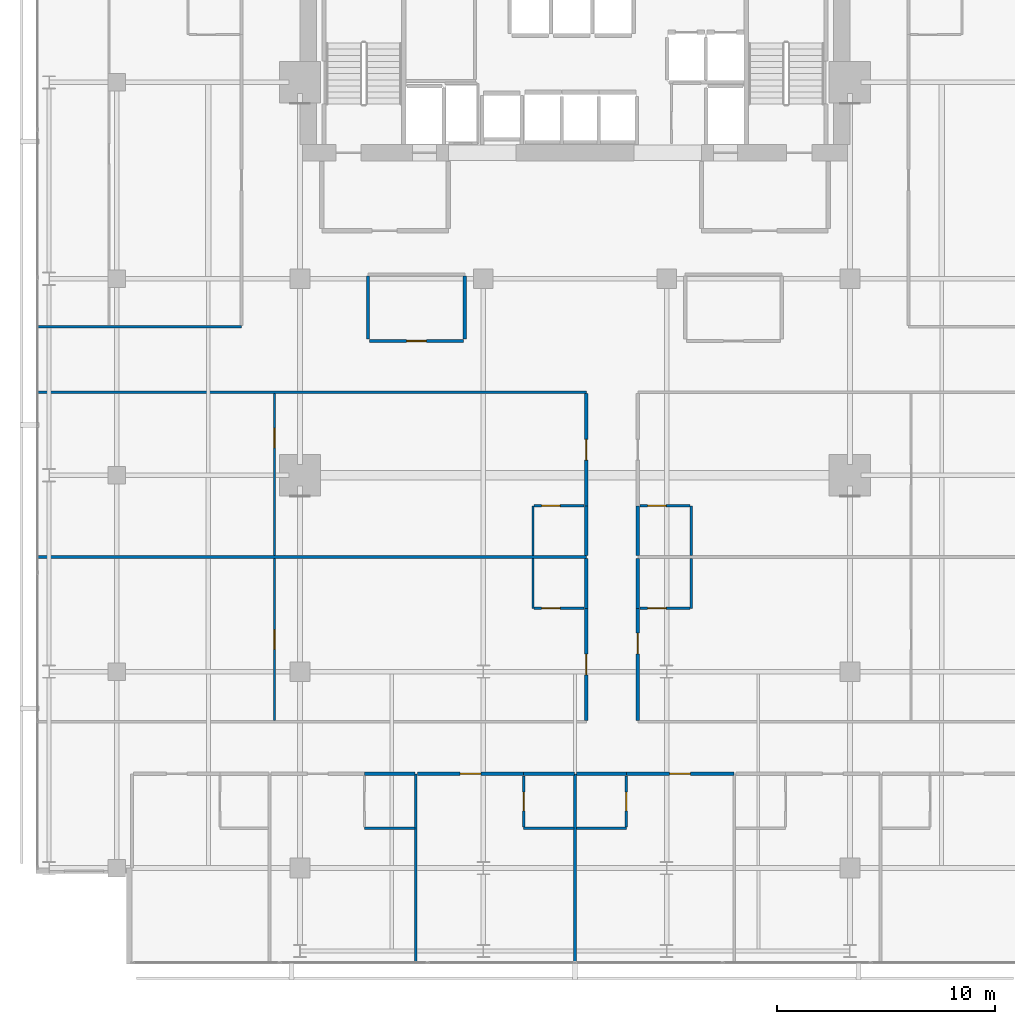
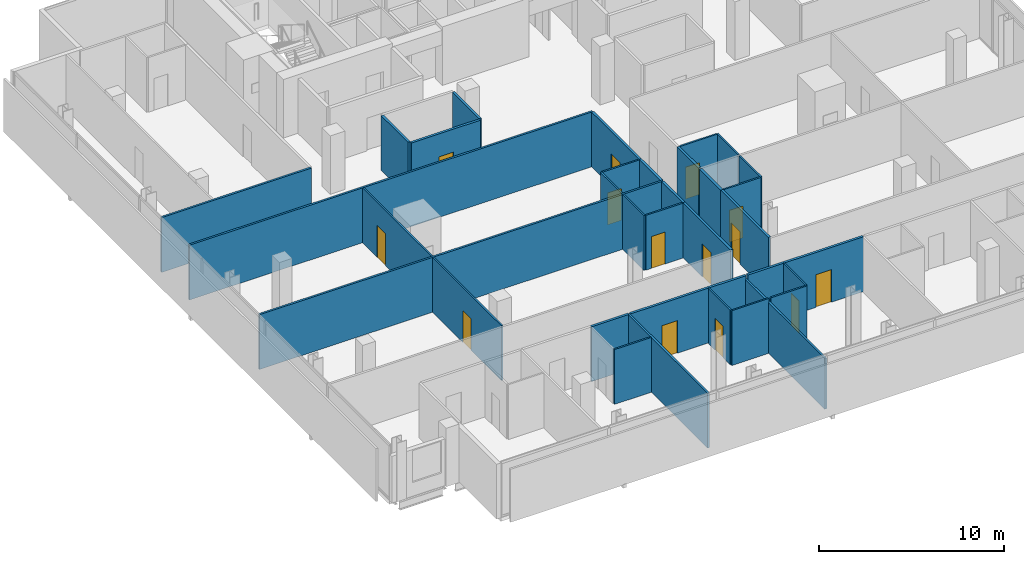
# One storey, part 27 of 33: 35 walls, 14 doors, 14 openings.
"""IFC4 building model written with IfcOpenShell, lengths in metres."""

from ifc_helpers import new_model, si_unit, direction, frame, frame_2d, origin, place, context, subcontext, project, spatial, rectangle, extrude, material, layer, layer_set, type_object, element, fill, save


model = new_model("IFC4")

# Units and contexts
model_context = context("Model", 3, precision=1e-05, world=origin(), true_north=direction((0.0, 1.0)))
body_context = subcontext(model_context, "Body", "Model", "MODEL_VIEW")
ifc_project = project(units=[si_unit("LENGTHUNIT", "METRE"), si_unit("AREAUNIT", "SQUARE_METRE"), si_unit("VOLUMEUNIT", "CUBIC_METRE"), si_unit("PLANEANGLEUNIT", "RADIAN"), si_unit("MASSUNIT", "GRAM", prefix="KILO")], contexts=[model_context])

# Site, building, storey
site_placement = place(None, origin())
site = spatial("IfcSite", under=ifc_project, at=site_placement, CompositionType="ELEMENT")
building_placement = place(site_placement, origin())
building = spatial("IfcBuilding", under=site, at=building_placement, Name="Maruvema Waterfront Hotel and Observation Tower", CompositionType="ELEMENT")
storey_placement = place(building_placement, frame((0.0, 0.0, 200.550048828125)))
storey = spatial("IfcBuildingStorey", under=building, at=storey_placement, Name="L49", CompositionType="ELEMENT", Elevation=200.550048828125)

# Walls
ifc_material_1 = material(Name="Twin-stud acoustic gypsum drywall", Category="gypsum")
ifc_layer_1 = layer(ifc_material_1, 0.14990234375, Name="Acoustic Corridor and Suite Demising Wall 150 mm")
ifc_layer_set_1 = layer_set([ifc_layer_1], Name="Twin-stud acoustic gypsum drywall")
wall_type_1 = type_object("IfcWallType", Name="Acoustic Corridor and Suite Demising Wall 150 mm", PredefinedType="PARTITIONING", material=ifc_layer_set_1)
for number, where, z_axis, x_axis, name in (
    (1, (28.320068359375, 33.22998046875, 0.0), (0.0, 0.0, 1.0), (0.0, 1.0, 0.0), "L49 L49-M1 West Wall 018"),
    (2, (32.75, 33.22998046875, 0.0), (0.0, 0.0, 1.0), (0.0, 1.0, 0.0), "L49 L49-M1 East Wall 019"),
):
    element("IfcWall", number, at=place(storey_placement, frame(where, z_axis=z_axis, x_axis=x_axis)), inside=storey, type_object=wall_type_1, Name=name, PredefinedType="PARTITIONING", context=body_context, shape_type="SweptSolid", body=[
        extrude(rectangle(XDim=2.89013671875, YDim=0.14990234375, at=frame_2d((1.445068359375, 0.0))), origin(), (0.0, 0.0, 1.0), 3.60986328125),
    ])

# Wall, opening, door
wall_1_placement = place(storey_placement, frame((28.3798828125, 33.14990234375, 0.0), z_axis=(0.0, 0.0, 1.0), x_axis=(1.0, 0.0, 0.0)))
wall_1 = element("IfcWall", 3, at=wall_1_placement, inside=storey, type_object=wall_type_1, Name="L49 L49-M1 Front 1 020", PredefinedType="PARTITIONING", context=body_context, shape_type="SweptSolid", body=[
    extrude(rectangle(XDim=4.31005859375, YDim=0.14990234375, at=frame_2d((2.155029296875, 0.0))), origin(), (0.0, 0.0, 1.0), 3.60986328125),
])
opening_1_placement = place(wall_1_placement, frame((1.705078125, 0.0, 0.0)))
opening_1 = element("IfcOpeningElement", 4, at=opening_1_placement, cuts=wall_1, Name="Opening DR-090", PredefinedType="OPENING", context=body_context, shape_type="SweptSolid", body=[
    extrude(rectangle(XDim=0.89990234375, YDim=2.10009765625, at=frame_2d((0.449951171875, 1.050048828125))), frame((0.0, 0.0849609375, 0.0), z_axis=(0.0, -1.0, 0.0), x_axis=(1.0, 0.0, 0.0)), (0.0, 0.0, 1.0), 0.169921875),
])
ifc_material_2 = material(Name="Solid-core lacquered timber leaf", Category="wood")
door_type_1 = type_object("IfcDoorType", Name="Accessible Toilet and Room Door 900x2100 mm", OperationType="NOTDEFINED", PredefinedType="DOOR", material=ifc_material_2)
door_1_placement = place(opening_1_placement, frame((0.89990234375, 0.0, 0.0), z_axis=(0.0, 0.0, 1.0), x_axis=(-1.0, 0.0, 0.0)))
door_1 = element("IfcDoor", 5, at=door_1_placement, inside=storey, type_object=door_type_1, Name="L49 Executive Office 1 Door", OperationType="SINGLE_SWING_RIGHT", OverallHeight=2.10009765625, OverallWidth=0.89990234375, PredefinedType="DOOR", context=body_context, shape_type="SweptSolid", body=[
    extrude(rectangle(XDim=0.89990234375, YDim=2.10009765625, at=frame_2d((0.449951171875, 1.050048828125))), frame((0.0, 0.02490234375, 0.0), z_axis=(0.0, -1.0, 0.0), x_axis=(1.0, 0.0, 0.0)), (0.0, 0.0, 1.0), 0.050048828125),
])
fill(opening_1, door_1)

# Walls
for number, where, z_axis, x_axis, name in (
    (6, (28.14990234375, 13.320068359375, 0.0), (0.0, 0.0, 1.0), (1.0, 0.0, 0.0), "L49 Bath L49-S2 Back Wall 032"),
    (7, (35.449951171875, 13.320068359375, 0.0), (0.0, 0.0, 1.0), (1.0, 0.0, 0.0), "L49 Bath L49-S3 Back Wall 037"),
):
    element("IfcWall", number, at=place(storey_placement, frame(where, z_axis=z_axis, x_axis=x_axis)), inside=storey, type_object=wall_type_1, Name=name, PredefinedType="PARTITIONING", context=body_context, shape_type="SweptSolid", body=[
        extrude(rectangle(XDim=2.330078125, YDim=0.14990234375, at=frame_2d((1.1650390625, 0.0))), origin(), (0.0, 0.0, 1.0), 3.60986328125),
    ])

# Wall, opening, door
wall_2_placement = place(storey_placement, frame((30.580078125, 13.320068359375, 0.0), z_axis=(0.0, 0.0, 1.0), x_axis=(1.0, 0.0, 0.0)))
wall_2 = element("IfcWall", 8, at=wall_2_placement, inside=storey, type_object=wall_type_1, Name="L49 Unit L49-S3 Corridor Wall 040", PredefinedType="PARTITIONING", context=body_context, shape_type="SweptSolid", body=[
    extrude(rectangle(XDim=4.869873046875, YDim=0.14990234375, at=frame_2d((2.43505859375, 0.0))), origin(), (0.0, 0.0, 1.0), 3.60986328125),
])
opening_2_placement = place(wall_2_placement, frame((1.9599609375, 0.0, 0.0)))
opening_2 = element("IfcOpeningElement", 9, at=opening_2_placement, cuts=wall_2, Name="Opening DR-095", PredefinedType="OPENING", context=body_context, shape_type="SweptSolid", body=[
    extrude(rectangle(XDim=0.949951171875, YDim=2.14990234375, at=frame_2d((0.47509765625, 1.074951171875))), frame((0.0, 0.0849609375, 0.0), z_axis=(0.0, -1.0, 0.0), x_axis=(1.0, 0.0, 0.0)), (0.0, 0.0, 1.0), 0.169921875),
])
ifc_material_3 = material(Name="Acoustic solid-core hardwood timber leaf", Category="wood")
door_type_2 = type_object("IfcDoorType", Name="Guestroom Entrance Fire Door 950x2150 mm", OperationType="NOTDEFINED", PredefinedType="DOOR", material=ifc_material_3)
door_2_placement = place(opening_2_placement, frame((0.949951171875, 0.0, 0.0), z_axis=(0.0, 0.0, 1.0), x_axis=(-1.0, 0.0, 0.0)))
door_2 = element("IfcDoor", 10, at=door_2_placement, inside=storey, type_object=door_type_2, Name="L49 Unit L49-S3 Entrance Door", OperationType="SINGLE_SWING_LEFT", OverallHeight=2.14990234375, OverallWidth=0.949951171875, PredefinedType="DOOR", context=body_context, shape_type="SweptSolid", body=[
    extrude(rectangle(XDim=0.949951171875, YDim=2.14990234375, at=frame_2d((0.47509765625, 1.074951171875))), frame((0.0, 0.02490234375, 0.0), z_axis=(0.0, -1.0, 0.0), x_axis=(1.0, 0.0, 0.0)), (0.0, 0.0, 1.0), 0.050048828125),
])
fill(opening_2, door_2)

# Wall
wall_3_placement = place(storey_placement, frame((37.8798828125, 13.320068359375, 0.0), z_axis=(0.0, 0.0, 1.0), x_axis=(1.0, 0.0, 0.0)))
element("IfcWall", 11, at=wall_3_placement, inside=storey, type_object=wall_type_1, Name="L49 Bath L49-S4 Back Wall 042", PredefinedType="PARTITIONING", context=body_context, shape_type="SweptSolid", body=[
    extrude(rectangle(XDim=2.27001953125, YDim=0.14990234375, at=frame_2d((1.135009765625, 0.0))), origin(), (0.0, 0.0, 1.0), 3.60986328125),
])

# Wall, opening, door
wall_4_placement = place(storey_placement, frame((40.14990234375, 13.320068359375, 0.0), z_axis=(0.0, 0.0, 1.0), x_axis=(1.0, 0.0, 0.0)))
wall_4 = element("IfcWall", 12, at=wall_4_placement, inside=storey, type_object=wall_type_1, Name="L49 Unit L49-S4 Corridor Wall 045", PredefinedType="PARTITIONING", context=body_context, shape_type="SweptSolid", body=[
    extrude(rectangle(XDim=4.93017578125, YDim=0.14990234375, at=frame_2d((2.465087890625, 0.0))), origin(), (0.0, 0.0, 1.0), 3.60986328125),
])
opening_3_placement = place(wall_4_placement, frame((1.989990234375, 0.0, 0.0)))
opening_3 = element("IfcOpeningElement", 13, at=opening_3_placement, cuts=wall_4, Name="Opening DR-095", PredefinedType="OPENING", context=body_context, shape_type="SweptSolid", body=[
    extrude(rectangle(XDim=0.949951171875, YDim=2.14990234375, at=frame_2d((0.47509765625, 1.074951171875))), frame((0.0, 0.0849609375, 0.0), z_axis=(0.0, -1.0, 0.0), x_axis=(1.0, 0.0, 0.0)), (0.0, 0.0, 1.0), 0.169921875),
])
door_3_placement = place(opening_3_placement, frame((0.949951171875, 0.0, 0.0), z_axis=(0.0, 0.0, 1.0), x_axis=(-1.0, 0.0, 0.0)))
door_3 = element("IfcDoor", 14, at=door_3_placement, inside=storey, type_object=door_type_2, Name="L49 Unit L49-S4 Entrance Door", OperationType="SINGLE_SWING_LEFT", OverallHeight=2.14990234375, OverallWidth=0.949951171875, PredefinedType="DOOR", context=body_context, shape_type="SweptSolid", body=[
    extrude(rectangle(XDim=0.949951171875, YDim=2.14990234375, at=frame_2d((0.47509765625, 1.074951171875))), frame((0.0, 0.02490234375, 0.0), z_axis=(0.0, -1.0, 0.0), x_axis=(1.0, 0.0, 0.0)), (0.0, 0.0, 1.0), 0.050048828125),
])
fill(opening_3, door_3)

wall_5_placement = place(storey_placement, frame((38.320068359375, 15.760009765625, 0.0), z_axis=(0.0, 0.0, 1.0), x_axis=(0.0, 1.0, 0.0)))
wall_5 = element("IfcWall", 15, at=wall_5_placement, inside=storey, type_object=wall_type_1, Name="L49 Room L49-W1 Corridor Wall 060", PredefinedType="PARTITIONING", context=body_context, shape_type="SweptSolid", body=[
    extrude(rectangle(XDim=5.139892578125, YDim=0.14990234375, at=frame_2d((2.56982421875, 0.0))), origin(), (0.0, 0.0, 1.0), 3.60986328125),
])
opening_4_placement = place(wall_5_placement, frame((2.094970703125, 0.0, 0.0)))
opening_4 = element("IfcOpeningElement", 16, at=opening_4_placement, cuts=wall_5, Name="Opening DR-095", PredefinedType="OPENING", context=body_context, shape_type="SweptSolid", body=[
    extrude(rectangle(XDim=0.949951171875, YDim=2.14990234375, at=frame_2d((0.47509765625, 1.074951171875))), frame((0.0, 0.0849609375, 0.0), z_axis=(0.0, -1.0, 0.0), x_axis=(1.0, 0.0, 0.0)), (0.0, 0.0, 1.0), 0.169921875),
])
door_4_placement = place(opening_4_placement, origin())
door_4 = element("IfcDoor", 17, at=door_4_placement, inside=storey, type_object=door_type_2, Name="L49 Room L49-W1 Entrance Door", OperationType="SINGLE_SWING_LEFT", OverallHeight=2.14990234375, OverallWidth=0.949951171875, PredefinedType="DOOR", context=body_context, shape_type="SweptSolid", body=[
    extrude(rectangle(XDim=0.949951171875, YDim=2.14990234375, at=frame_2d((0.47509765625, 1.074951171875))), frame((0.0, 0.02490234375, 0.0), z_axis=(0.0, -1.0, 0.0), x_axis=(1.0, 0.0, 0.0)), (0.0, 0.0, 1.0), 0.050048828125),
])
fill(opening_4, door_4)

# Wall
wall_6_placement = place(storey_placement, frame((38.320068359375, 20.89990234375, 0.0), z_axis=(0.0, 0.0, 1.0), x_axis=(0.0, 1.0, 0.0)))
element("IfcWall", 18, at=wall_6_placement, inside=storey, type_object=wall_type_1, Name="L49 Bath L49-W1 Wall 061", PredefinedType="PARTITIONING", context=body_context, shape_type="SweptSolid", body=[
    extrude(rectangle(XDim=2.2900390625, YDim=0.14990234375, at=frame_2d((1.14501953125, 0.0))), origin(), (0.0, 0.0, 1.0), 3.60986328125),
])

# Wall, opening, door
wall_7_placement = place(storey_placement, frame((40.679931640625, 15.760009765625, 0.0), z_axis=(0.0, 0.0, 1.0), x_axis=(0.0, 1.0, 0.0)))
wall_7 = element("IfcWall", 19, at=wall_7_placement, inside=storey, type_object=wall_type_1, Name="L49 Room L49-E1 Corridor Wall 065", PredefinedType="PARTITIONING", context=body_context, shape_type="SweptSolid", body=[
    extrude(rectangle(XDim=5.139892578125, YDim=0.14990234375, at=frame_2d((2.56982421875, 0.0))), origin(), (0.0, 0.0, 1.0), 3.60986328125),
])
opening_5_placement = place(wall_7_placement, frame((3.054931640625, 0.0, 0.0)))
opening_5 = element("IfcOpeningElement", 20, at=opening_5_placement, cuts=wall_7, Name="Opening DR-095", PredefinedType="OPENING", context=body_context, shape_type="SweptSolid", body=[
    extrude(rectangle(XDim=0.949951171875, YDim=2.14990234375, at=frame_2d((0.47509765625, 1.074951171875))), frame((0.0, 0.0849609375, 0.0), z_axis=(0.0, -1.0, 0.0), x_axis=(1.0, 0.0, 0.0)), (0.0, 0.0, 1.0), 0.169921875),
])
door_5_placement = place(opening_5_placement, frame((0.949951171875, 0.0, 0.0), z_axis=(0.0, 0.0, 1.0), x_axis=(-1.0, 0.0, 0.0)))
door_5 = element("IfcDoor", 21, at=door_5_placement, inside=storey, type_object=door_type_2, Name="L49 Room L49-E1 Entrance Door", OperationType="SINGLE_SWING_RIGHT", OverallHeight=2.14990234375, OverallWidth=0.949951171875, PredefinedType="DOOR", context=body_context, shape_type="SweptSolid", body=[
    extrude(rectangle(XDim=0.949951171875, YDim=2.14990234375, at=frame_2d((0.47509765625, 1.074951171875))), frame((0.0, 0.02490234375, 0.0), z_axis=(0.0, -1.0, 0.0), x_axis=(1.0, 0.0, 0.0)), (0.0, 0.0, 1.0), 0.050048828125),
])
fill(opening_5, door_5)

# Walls
for number, where, z_axis, x_axis, name in (
    (22, (40.679931640625, 20.89990234375, 0.0), (0.0, 0.0, 1.0), (0.0, 1.0, 0.0), "L49 Bath L49-E1 Wall 066"),
    (23, (38.320068359375, 23.31005859375, 0.0), (0.0, 0.0, 1.0), (0.0, 1.0, 0.0), "L49 Bath L49-W2 Wall 072"),
):
    element("IfcWall", number, at=place(storey_placement, frame(where, z_axis=z_axis, x_axis=x_axis)), inside=storey, type_object=wall_type_1, Name=name, PredefinedType="PARTITIONING", context=body_context, shape_type="SweptSolid", body=[
        extrude(rectangle(XDim=2.2900390625, YDim=0.14990234375, at=frame_2d((1.14501953125, 0.0))), origin(), (0.0, 0.0, 1.0), 3.60986328125),
    ])

# Wall, opening, door
wall_8_placement = place(storey_placement, frame((38.320068359375, 25.60009765625, 0.0), z_axis=(0.0, 0.0, 1.0), x_axis=(0.0, 1.0, 0.0)))
wall_8 = element("IfcWall", 24, at=wall_8_placement, inside=storey, type_object=wall_type_1, Name="L49 Room L49-W2 Corridor Wall 073", PredefinedType="PARTITIONING", context=body_context, shape_type="SweptSolid", body=[
    extrude(rectangle(XDim=5.139892578125, YDim=0.14990234375, at=frame_2d((2.56982421875, 0.0))), origin(), (0.0, 0.0, 1.0), 3.60986328125),
])
opening_6_placement = place(wall_8_placement, frame((2.094970703125, 0.0, 0.0)))
opening_6 = element("IfcOpeningElement", 25, at=opening_6_placement, cuts=wall_8, Name="Opening DR-095", PredefinedType="OPENING", context=body_context, shape_type="SweptSolid", body=[
    extrude(rectangle(XDim=0.949951171875, YDim=2.14990234375, at=frame_2d((0.47509765625, 1.074951171875))), frame((0.0, 0.0849609375, 0.0), z_axis=(0.0, -1.0, 0.0), x_axis=(1.0, 0.0, 0.0)), (0.0, 0.0, 1.0), 0.169921875),
])
door_6_placement = place(opening_6_placement, origin())
door_6 = element("IfcDoor", 26, at=door_6_placement, inside=storey, type_object=door_type_2, Name="L49 Room L49-W2 Entrance Door", OperationType="SINGLE_SWING_LEFT", OverallHeight=2.14990234375, OverallWidth=0.949951171875, PredefinedType="DOOR", context=body_context, shape_type="SweptSolid", body=[
    extrude(rectangle(XDim=0.949951171875, YDim=2.14990234375, at=frame_2d((0.47509765625, 1.074951171875))), frame((0.0, 0.02490234375, 0.0), z_axis=(0.0, -1.0, 0.0), x_axis=(1.0, 0.0, 0.0)), (0.0, 0.0, 1.0), 0.050048828125),
])
fill(opening_6, door_6)

# Walls
wall_9_placement = place(storey_placement, frame((40.679931640625, 23.31005859375, 0.0), z_axis=(0.0, 0.0, 1.0), x_axis=(0.0, 1.0, 0.0)))
element("IfcWall", 27, at=wall_9_placement, inside=storey, type_object=wall_type_1, Name="L49 Bath L49-E2 Wall 077", PredefinedType="PARTITIONING", context=body_context, shape_type="SweptSolid", body=[
    extrude(rectangle(XDim=2.2900390625, YDim=0.14990234375, at=frame_2d((1.14501953125, 0.0))), origin(), (0.0, 0.0, 1.0), 3.60986328125),
])
ifc_material_4 = material(Name="Moisture-resistant cement-board drywall", Category="gypsum")
ifc_layer_2 = layer(ifc_material_4, 0.10009765625, Name="En-Suite Moisture-Resistant Partition 100 mm")
ifc_layer_set_2 = layer_set([ifc_layer_2], Name="Moisture-resistant cement-board drywall")
wall_type_2 = type_object("IfcWallType", Name="En-Suite Moisture-Resistant Partition 100 mm", PredefinedType="PARTITIONING", material=ifc_layer_set_2)
for number, where, z_axis, x_axis, name in (
    (28, (28.14990234375, 10.820068359375, 0.0), (0.0, 0.0, 1.0), (1.0, 0.0, 0.0), "L49 En-Suite L49-S2 South 033"),
    (29, (35.449951171875, 10.820068359375, 0.0), (0.0, 0.0, 1.0), (1.0, 0.0, 0.0), "L49 En-Suite L49-S3 South 038"),
):
    element("IfcWall", number, at=place(storey_placement, frame(where, z_axis=z_axis, x_axis=x_axis)), inside=storey, type_object=wall_type_2, Name=name, PredefinedType="PARTITIONING", context=body_context, shape_type="SweptSolid", body=[
        extrude(rectangle(XDim=2.31005859375, YDim=0.10009765625, at=frame_2d((1.155029296875, 0.0))), origin(), (0.0, 0.0, 1.0), 3.60986328125),
    ])

# Wall, opening, door
wall_10_placement = place(storey_placement, frame((35.449951171875, 10.8798828125, 0.0), z_axis=(0.0, 0.0, 1.0), x_axis=(0.0, 1.0, 0.0)))
wall_10 = element("IfcWall", 30, at=wall_10_placement, inside=storey, type_object=wall_type_2, Name="L49 En-Suite L49-S3 West 039", PredefinedType="PARTITIONING", context=body_context, shape_type="SweptSolid", body=[
    extrude(rectangle(XDim=2.340087890625, YDim=0.10009765625, at=frame_2d((1.169921875, 0.0))), origin(), (0.0, 0.0, 1.0), 3.60986328125),
])
opening_7_placement = place(wall_10_placement, frame((0.7451171875, 0.0, 0.0)))
opening_7 = element("IfcOpeningElement", 31, at=opening_7_placement, cuts=wall_10, Name="Opening DR-085", PredefinedType="OPENING", context=body_context, shape_type="SweptSolid", body=[
    extrude(rectangle(XDim=0.85009765625, YDim=2.10009765625, at=frame_2d((0.425048828125, 1.050048828125))), frame((0.0, 0.06005859375, 0.0), z_axis=(0.0, -1.0, 0.0), x_axis=(1.0, 0.0, 0.0)), (0.0, 0.0, 1.0), 0.1201171875),
])
ifc_material_5 = material(Name="Moisture-resistant solid timber leaf", Category="wood")
door_type_3 = type_object("IfcDoorType", Name="En-Suite Bathroom Door 850x2100 mm", OperationType="NOTDEFINED", PredefinedType="DOOR", material=ifc_material_5)
door_7_placement = place(opening_7_placement, origin())
door_7 = element("IfcDoor", 32, at=door_7_placement, inside=storey, type_object=door_type_3, Name="L49 En-Suite L49-S3 Door", OperationType="SINGLE_SWING_RIGHT", OverallHeight=2.10009765625, OverallWidth=0.85009765625, PredefinedType="DOOR", context=body_context, shape_type="SweptSolid", body=[
    extrude(rectangle(XDim=0.85009765625, YDim=2.10009765625, at=frame_2d((0.425048828125, 1.050048828125))), frame((0.0, 0.02490234375, 0.0), z_axis=(0.0, -1.0, 0.0), x_axis=(1.0, 0.0, 0.0)), (0.0, 0.0, 1.0), 0.050048828125),
])
fill(opening_7, door_7)

# Wall
wall_11_placement = place(storey_placement, frame((37.8798828125, 10.820068359375, 0.0), z_axis=(0.0, 0.0, 1.0), x_axis=(1.0, 0.0, 0.0)))
element("IfcWall", 33, at=wall_11_placement, inside=storey, type_object=wall_type_2, Name="L49 En-Suite L49-S4 South 043", PredefinedType="PARTITIONING", context=body_context, shape_type="SweptSolid", body=[
    extrude(rectangle(XDim=2.27001953125, YDim=0.10009765625, at=frame_2d((1.135009765625, 0.0))), origin(), (0.0, 0.0, 1.0), 3.60986328125),
])

# Wall, opening, door
wall_12_placement = place(storey_placement, frame((40.14990234375, 10.8798828125, 0.0), z_axis=(0.0, 0.0, 1.0), x_axis=(0.0, 1.0, 0.0)))
wall_12 = element("IfcWall", 34, at=wall_12_placement, inside=storey, type_object=wall_type_2, Name="L49 En-Suite L49-S4 East 044", PredefinedType="PARTITIONING", context=body_context, shape_type="SweptSolid", body=[
    extrude(rectangle(XDim=2.340087890625, YDim=0.10009765625, at=frame_2d((1.169921875, 0.0))), origin(), (0.0, 0.0, 1.0), 3.60986328125),
])
opening_8_placement = place(wall_12_placement, frame((0.7451171875, 0.0, 0.0)))
opening_8 = element("IfcOpeningElement", 35, at=opening_8_placement, cuts=wall_12, Name="Opening DR-085", PredefinedType="OPENING", context=body_context, shape_type="SweptSolid", body=[
    extrude(rectangle(XDim=0.85009765625, YDim=2.10009765625, at=frame_2d((0.425048828125, 1.050048828125))), frame((0.0, 0.06005859375, 0.0), z_axis=(0.0, -1.0, 0.0), x_axis=(1.0, 0.0, 0.0)), (0.0, 0.0, 1.0), 0.1201171875),
])
door_8_placement = place(opening_8_placement, frame((0.85009765625, 0.0, 0.0), z_axis=(0.0, 0.0, 1.0), x_axis=(-1.0, 0.0, 0.0)))
door_8 = element("IfcDoor", 36, at=door_8_placement, inside=storey, type_object=door_type_3, Name="L49 En-Suite L49-S4 Door", OperationType="SINGLE_SWING_RIGHT", OverallHeight=2.10009765625, OverallWidth=0.85009765625, PredefinedType="DOOR", context=body_context, shape_type="SweptSolid", body=[
    extrude(rectangle(XDim=0.85009765625, YDim=2.10009765625, at=frame_2d((0.425048828125, 1.050048828125))), frame((0.0, 0.02490234375, 0.0), z_axis=(0.0, -1.0, 0.0), x_axis=(1.0, 0.0, 0.0)), (0.0, 0.0, 1.0), 0.050048828125),
])
fill(opening_8, door_8)

# Wall
wall_13_placement = place(storey_placement, frame((35.8701171875, 20.89990234375, 0.0), z_axis=(0.0, 0.0, 1.0), x_axis=(0.0, 1.0, 0.0)))
element("IfcWall", 37, at=wall_13_placement, inside=storey, type_object=wall_type_2, Name="L49 En-Suite L49-W1 W 062", PredefinedType="PARTITIONING", context=body_context, shape_type="SweptSolid", body=[
    extrude(rectangle(XDim=2.2900390625, YDim=0.10009765625, at=frame_2d((1.14501953125, 0.0))), origin(), (0.0, 0.0, 1.0), 3.60986328125),
])

# Wall, opening, door
wall_14_placement = place(storey_placement, frame((35.919921875, 20.89990234375, 0.0), z_axis=(0.0, 0.0, 1.0), x_axis=(1.0, 0.0, 0.0)))
wall_14 = element("IfcWall", 38, at=wall_14_placement, inside=storey, type_object=wall_type_2, Name="L49 En-Suite L49-W1 S 063", PredefinedType="PARTITIONING", context=body_context, shape_type="SweptSolid", body=[
    extrude(rectangle(XDim=2.300048828125, YDim=0.10009765625, at=frame_2d((1.14990234375, 0.0))), origin(), (0.0, 0.0, 1.0), 3.60986328125),
])
opening_9_placement = place(wall_14_placement, frame((0.35009765625, 0.0, 0.0)))
opening_9 = element("IfcOpeningElement", 39, at=opening_9_placement, cuts=wall_14, Name="Opening DR-085", PredefinedType="OPENING", context=body_context, shape_type="SweptSolid", body=[
    extrude(rectangle(XDim=0.85009765625, YDim=2.10009765625, at=frame_2d((0.425048828125, 1.050048828125))), frame((0.0, 0.06005859375, 0.0), z_axis=(0.0, -1.0, 0.0), x_axis=(1.0, 0.0, 0.0)), (0.0, 0.0, 1.0), 0.1201171875),
])
door_9_placement = place(opening_9_placement, frame((0.85009765625, 0.0, 0.0), z_axis=(0.0, 0.0, 1.0), x_axis=(-1.0, 0.0, 0.0)))
door_9 = element("IfcDoor", 40, at=door_9_placement, inside=storey, type_object=door_type_3, Name="L49 En-Suite L49-W1 Door", OperationType="SINGLE_SWING_RIGHT", OverallHeight=2.10009765625, OverallWidth=0.85009765625, PredefinedType="DOOR", context=body_context, shape_type="SweptSolid", body=[
    extrude(rectangle(XDim=0.85009765625, YDim=2.10009765625, at=frame_2d((0.425048828125, 1.050048828125))), frame((0.0, 0.02490234375, 0.0), z_axis=(0.0, -1.0, 0.0), x_axis=(1.0, 0.0, 0.0)), (0.0, 0.0, 1.0), 0.050048828125),
])
fill(opening_9, door_9)

wall_15_placement = place(storey_placement, frame((24.029541015625, 15.760009765625, 0.0), z_axis=(0.0, 0.0, 1.0), x_axis=(0.0, 1.0, 0.0)))
wall_15 = element("IfcWall", 41, at=wall_15_placement, inside=storey, type_object=wall_type_2, Name="L49 Suite L49-W1 Split 064", PredefinedType="PARTITIONING", context=body_context, shape_type="SweptSolid", body=[
    extrude(rectangle(XDim=7.429931640625, YDim=0.10009765625, at=frame_2d((3.71484375, 0.0))), origin(), (0.0, 0.0, 1.0), 3.60986328125),
])
opening_10_placement = place(wall_15_placement, frame((3.264892578125, 0.0, 0.0)))
opening_10 = element("IfcOpeningElement", 42, at=opening_10_placement, cuts=wall_15, Name="Opening DR-090", PredefinedType="OPENING", context=body_context, shape_type="SweptSolid", body=[
    extrude(rectangle(XDim=0.89990234375, YDim=2.10009765625, at=frame_2d((0.449951171875, 1.050048828125))), frame((0.0, 0.06005859375, 0.0), z_axis=(0.0, -1.0, 0.0), x_axis=(1.0, 0.0, 0.0)), (0.0, 0.0, 1.0), 0.1201171875),
])
door_10_placement = place(opening_10_placement, origin())
door_10 = element("IfcDoor", 43, at=door_10_placement, inside=storey, type_object=door_type_1, Name="L49 Suite L49-W1 Bedroom Door", OperationType="SINGLE_SWING_RIGHT", OverallHeight=2.10009765625, OverallWidth=0.89990234375, PredefinedType="DOOR", context=body_context, shape_type="SweptSolid", body=[
    extrude(rectangle(XDim=0.89990234375, YDim=2.10009765625, at=frame_2d((0.449951171875, 1.050048828125))), frame((0.0, 0.02490234375, 0.0), z_axis=(0.0, -1.0, 0.0), x_axis=(1.0, 0.0, 0.0)), (0.0, 0.0, 1.0), 0.050048828125),
])
fill(opening_10, door_10)

# Wall
wall_16_placement = place(storey_placement, frame((43.1298828125, 20.89990234375, 0.0), z_axis=(0.0, 0.0, 1.0), x_axis=(0.0, 1.0, 0.0)))
element("IfcWall", 44, at=wall_16_placement, inside=storey, type_object=wall_type_2, Name="L49 En-Suite L49-E1 E 067", PredefinedType="PARTITIONING", context=body_context, shape_type="SweptSolid", body=[
    extrude(rectangle(XDim=2.2900390625, YDim=0.10009765625, at=frame_2d((1.14501953125, 0.0))), origin(), (0.0, 0.0, 1.0), 3.60986328125),
])

# Wall, opening, door
wall_17_placement = place(storey_placement, frame((40.780029296875, 20.89990234375, 0.0), z_axis=(0.0, 0.0, 1.0), x_axis=(1.0, 0.0, 0.0)))
wall_17 = element("IfcWall", 45, at=wall_17_placement, inside=storey, type_object=wall_type_2, Name="L49 En-Suite L49-E1 S 068", PredefinedType="PARTITIONING", context=body_context, shape_type="SweptSolid", body=[
    extrude(rectangle(XDim=2.300048828125, YDim=0.10009765625, at=frame_2d((1.14990234375, 0.0))), origin(), (0.0, 0.0, 1.0), 3.60986328125),
])
opening_11_placement = place(wall_17_placement, frame((0.35009765625, 0.0, 0.0)))
opening_11 = element("IfcOpeningElement", 46, at=opening_11_placement, cuts=wall_17, Name="Opening DR-085", PredefinedType="OPENING", context=body_context, shape_type="SweptSolid", body=[
    extrude(rectangle(XDim=0.85009765625, YDim=2.10009765625, at=frame_2d((0.425048828125, 1.050048828125))), frame((0.0, 0.06005859375, 0.0), z_axis=(0.0, -1.0, 0.0), x_axis=(1.0, 0.0, 0.0)), (0.0, 0.0, 1.0), 0.1201171875),
])
door_11_placement = place(opening_11_placement, frame((0.85009765625, 0.0, 0.0), z_axis=(0.0, 0.0, 1.0), x_axis=(-1.0, 0.0, 0.0)))
door_11 = element("IfcDoor", 47, at=door_11_placement, inside=storey, type_object=door_type_3, Name="L49 En-Suite L49-E1 Door", OperationType="SINGLE_SWING_LEFT", OverallHeight=2.10009765625, OverallWidth=0.85009765625, PredefinedType="DOOR", context=body_context, shape_type="SweptSolid", body=[
    extrude(rectangle(XDim=0.85009765625, YDim=2.10009765625, at=frame_2d((0.425048828125, 1.050048828125))), frame((0.0, 0.02490234375, 0.0), z_axis=(0.0, -1.0, 0.0), x_axis=(1.0, 0.0, 0.0)), (0.0, 0.0, 1.0), 0.050048828125),
])
fill(opening_11, door_11)

# Wall
wall_18_placement = place(storey_placement, frame((35.8701171875, 23.31005859375, 0.0), z_axis=(0.0, 0.0, 1.0), x_axis=(0.0, 1.0, 0.0)))
element("IfcWall", 48, at=wall_18_placement, inside=storey, type_object=wall_type_2, Name="L49 En-Suite L49-W2 W 074", PredefinedType="PARTITIONING", context=body_context, shape_type="SweptSolid", body=[
    extrude(rectangle(XDim=2.2900390625, YDim=0.10009765625, at=frame_2d((1.14501953125, 0.0))), origin(), (0.0, 0.0, 1.0), 3.60986328125),
])

# Wall, opening, door
wall_19_placement = place(storey_placement, frame((35.919921875, 25.60009765625, 0.0), z_axis=(0.0, 0.0, 1.0), x_axis=(1.0, 0.0, 0.0)))
wall_19 = element("IfcWall", 49, at=wall_19_placement, inside=storey, type_object=wall_type_2, Name="L49 En-Suite L49-W2 N 075", PredefinedType="PARTITIONING", context=body_context, shape_type="SweptSolid", body=[
    extrude(rectangle(XDim=2.300048828125, YDim=0.10009765625, at=frame_2d((1.14990234375, 0.0))), origin(), (0.0, 0.0, 1.0), 3.60986328125),
])
opening_12_placement = place(wall_19_placement, frame((0.35009765625, 0.0, 0.0)))
opening_12 = element("IfcOpeningElement", 50, at=opening_12_placement, cuts=wall_19, Name="Opening DR-085", PredefinedType="OPENING", context=body_context, shape_type="SweptSolid", body=[
    extrude(rectangle(XDim=0.85009765625, YDim=2.10009765625, at=frame_2d((0.425048828125, 1.050048828125))), frame((0.0, 0.06005859375, 0.0), z_axis=(0.0, -1.0, 0.0), x_axis=(1.0, 0.0, 0.0)), (0.0, 0.0, 1.0), 0.1201171875),
])
door_12_placement = place(opening_12_placement, origin())
door_12 = element("IfcDoor", 51, at=door_12_placement, inside=storey, type_object=door_type_3, Name="L49 En-Suite L49-W2 Door", OperationType="SINGLE_SWING_RIGHT", OverallHeight=2.10009765625, OverallWidth=0.85009765625, PredefinedType="DOOR", context=body_context, shape_type="SweptSolid", body=[
    extrude(rectangle(XDim=0.85009765625, YDim=2.10009765625, at=frame_2d((0.425048828125, 1.050048828125))), frame((0.0, 0.02490234375, 0.0), z_axis=(0.0, -1.0, 0.0), x_axis=(1.0, 0.0, 0.0)), (0.0, 0.0, 1.0), 0.050048828125),
])
fill(opening_12, door_12)

wall_20_placement = place(storey_placement, frame((24.029541015625, 23.31005859375, 0.0), z_axis=(0.0, 0.0, 1.0), x_axis=(0.0, 1.0, 0.0)))
wall_20 = element("IfcWall", 52, at=wall_20_placement, inside=storey, type_object=wall_type_2, Name="L49 Suite L49-W2 Split 076", PredefinedType="PARTITIONING", context=body_context, shape_type="SweptSolid", body=[
    extrude(rectangle(XDim=7.429931640625, YDim=0.10009765625, at=frame_2d((3.71484375, 0.0))), origin(), (0.0, 0.0, 1.0), 3.60986328125),
])
opening_13_placement = place(wall_20_placement, frame((4.945068359375, 0.0, 0.0)))
opening_13 = element("IfcOpeningElement", 53, at=opening_13_placement, cuts=wall_20, Name="Opening DR-090", PredefinedType="OPENING", context=body_context, shape_type="SweptSolid", body=[
    extrude(rectangle(XDim=0.89990234375, YDim=2.10009765625, at=frame_2d((0.449951171875, 1.050048828125))), frame((0.0, 0.06005859375, 0.0), z_axis=(0.0, -1.0, 0.0), x_axis=(1.0, 0.0, 0.0)), (0.0, 0.0, 1.0), 0.1201171875),
])
door_13_placement = place(opening_13_placement, origin())
door_13 = element("IfcDoor", 54, at=door_13_placement, inside=storey, type_object=door_type_1, Name="L49 Suite L49-W2 Bedroom Door", OperationType="SINGLE_SWING_RIGHT", OverallHeight=2.10009765625, OverallWidth=0.89990234375, PredefinedType="DOOR", context=body_context, shape_type="SweptSolid", body=[
    extrude(rectangle(XDim=0.89990234375, YDim=2.10009765625, at=frame_2d((0.449951171875, 1.050048828125))), frame((0.0, 0.02490234375, 0.0), z_axis=(0.0, -1.0, 0.0), x_axis=(1.0, 0.0, 0.0)), (0.0, 0.0, 1.0), 0.050048828125),
])
fill(opening_13, door_13)

# Wall
wall_21_placement = place(storey_placement, frame((43.1298828125, 23.31005859375, 0.0), z_axis=(0.0, 0.0, 1.0), x_axis=(0.0, 1.0, 0.0)))
element("IfcWall", 55, at=wall_21_placement, inside=storey, type_object=wall_type_2, Name="L49 En-Suite L49-E2 E 079", PredefinedType="PARTITIONING", context=body_context, shape_type="SweptSolid", body=[
    extrude(rectangle(XDim=2.2900390625, YDim=0.10009765625, at=frame_2d((1.14501953125, 0.0))), origin(), (0.0, 0.0, 1.0), 3.60986328125),
])

# Wall, opening, door
wall_22_placement = place(storey_placement, frame((40.780029296875, 25.60009765625, 0.0), z_axis=(0.0, 0.0, 1.0), x_axis=(1.0, 0.0, 0.0)))
wall_22 = element("IfcWall", 56, at=wall_22_placement, inside=storey, type_object=wall_type_2, Name="L49 En-Suite L49-E2 N 080", PredefinedType="PARTITIONING", context=body_context, shape_type="SweptSolid", body=[
    extrude(rectangle(XDim=2.300048828125, YDim=0.10009765625, at=frame_2d((1.14990234375, 0.0))), origin(), (0.0, 0.0, 1.0), 3.60986328125),
])
opening_14_placement = place(wall_22_placement, frame((0.35009765625, 0.0, 0.0)))
opening_14 = element("IfcOpeningElement", 57, at=opening_14_placement, cuts=wall_22, Name="Opening DR-085", PredefinedType="OPENING", context=body_context, shape_type="SweptSolid", body=[
    extrude(rectangle(XDim=0.85009765625, YDim=2.10009765625, at=frame_2d((0.425048828125, 1.050048828125))), frame((0.0, 0.06005859375, 0.0), z_axis=(0.0, -1.0, 0.0), x_axis=(1.0, 0.0, 0.0)), (0.0, 0.0, 1.0), 0.1201171875),
])
door_14_placement = place(opening_14_placement, origin())
door_14 = element("IfcDoor", 58, at=door_14_placement, inside=storey, type_object=door_type_3, Name="L49 En-Suite L49-E2 Door", OperationType="SINGLE_SWING_LEFT", OverallHeight=2.10009765625, OverallWidth=0.85009765625, PredefinedType="DOOR", context=body_context, shape_type="SweptSolid", body=[
    extrude(rectangle(XDim=0.85009765625, YDim=2.10009765625, at=frame_2d((0.425048828125, 1.050048828125))), frame((0.0, 0.02490234375, 0.0), z_axis=(0.0, -1.0, 0.0), x_axis=(1.0, 0.0, 0.0)), (0.0, 0.0, 1.0), 0.050048828125),
])
fill(opening_14, door_14)

# Walls
ifc_material_6 = material(Name="Acoustic gypsum plasterboard drywall", Category="gypsum")
ifc_layer_3 = layer(ifc_material_6, 0.125, Name="Guestroom Acoustic Demising Wall 125 mm")
ifc_layer_set_3 = layer_set([ifc_layer_3], Name="Acoustic gypsum plasterboard drywall")
wall_type_3 = type_object("IfcWallType", Name="Guestroom Acoustic Demising Wall 125 mm", PredefinedType="PARTITIONING", material=ifc_layer_set_3)
wall_23_placement = place(storey_placement, frame((30.5, 4.699951171875, 0.0), z_axis=(0.0, 0.0, 1.0), x_axis=(0.0, 1.0, 0.0)))
element("IfcWall", 59, at=wall_23_placement, inside=storey, type_object=wall_type_3, Name="L49 Z2 S Demising 3 036", PredefinedType="PARTITIONING", context=body_context, shape_type="SweptSolid", body=[
    extrude(rectangle(XDim=8.6201171875, YDim=0.125, at=frame_2d((4.31005859375, 0.0))), origin(), (0.0, 0.0, 1.0), 3.60986328125),
])
wall_24_placement = place(storey_placement, frame((37.800048828125, 4.699951171875, 0.0), z_axis=(0.0, 0.0, 1.0), x_axis=(0.0, 1.0, 0.0)))
element("IfcWall", 60, at=wall_24_placement, inside=storey, type_object=wall_type_3, Name="L49 Z2 S Demising 4 041", PredefinedType="PARTITIONING", context=body_context, shape_type="SweptSolid", body=[
    extrude(rectangle(XDim=8.6201171875, YDim=0.125, at=frame_2d((4.31005859375, 0.0))), origin(), (0.0, 0.0, 1.0), 3.35205078125),
])
for number, where, z_axis, x_axis, name in (
    (61, (13.199951171875, 30.800048828125, 0.0), (0.0, 0.0, 1.0), (1.0, 0.0, 0.0), "L49 Z2 W Top End 058"),
    (62, (13.199951171875, 23.25, 0.0), (0.0, 0.0, 1.0), (1.0, 0.0, 0.0), "L49 Z2 W Demising 2 070"),
):
    element("IfcWall", number, at=place(storey_placement, frame(where, z_axis=z_axis, x_axis=x_axis)), inside=storey, type_object=wall_type_3, Name=name, PredefinedType="PARTITIONING", context=body_context, shape_type="SweptSolid", body=[
        extrude(rectangle(XDim=25.1201171875, YDim=0.125, at=frame_2d((12.56005859375, 0.0))), origin(), (0.0, 0.0, 1.0), 3.60986328125),
    ])
wall_25_placement = place(storey_placement, frame((13.199951171875, 33.800048828125, 0.0), z_axis=(0.0, 0.0, 1.0), x_axis=(1.0, 0.0, 0.0)))
element("IfcWall", 63, at=wall_25_placement, inside=storey, type_object=wall_type_3, Name="L49 Z2 NW Bot End 082", PredefinedType="PARTITIONING", context=body_context, shape_type="SweptSolid", body=[
    extrude(rectangle(XDim=9.320068359375, YDim=0.125, at=frame_2d((4.66015625, 0.0))), origin(), (0.0, 0.0, 1.0), 3.60986328125),
])

save(model, "model.ifc")
